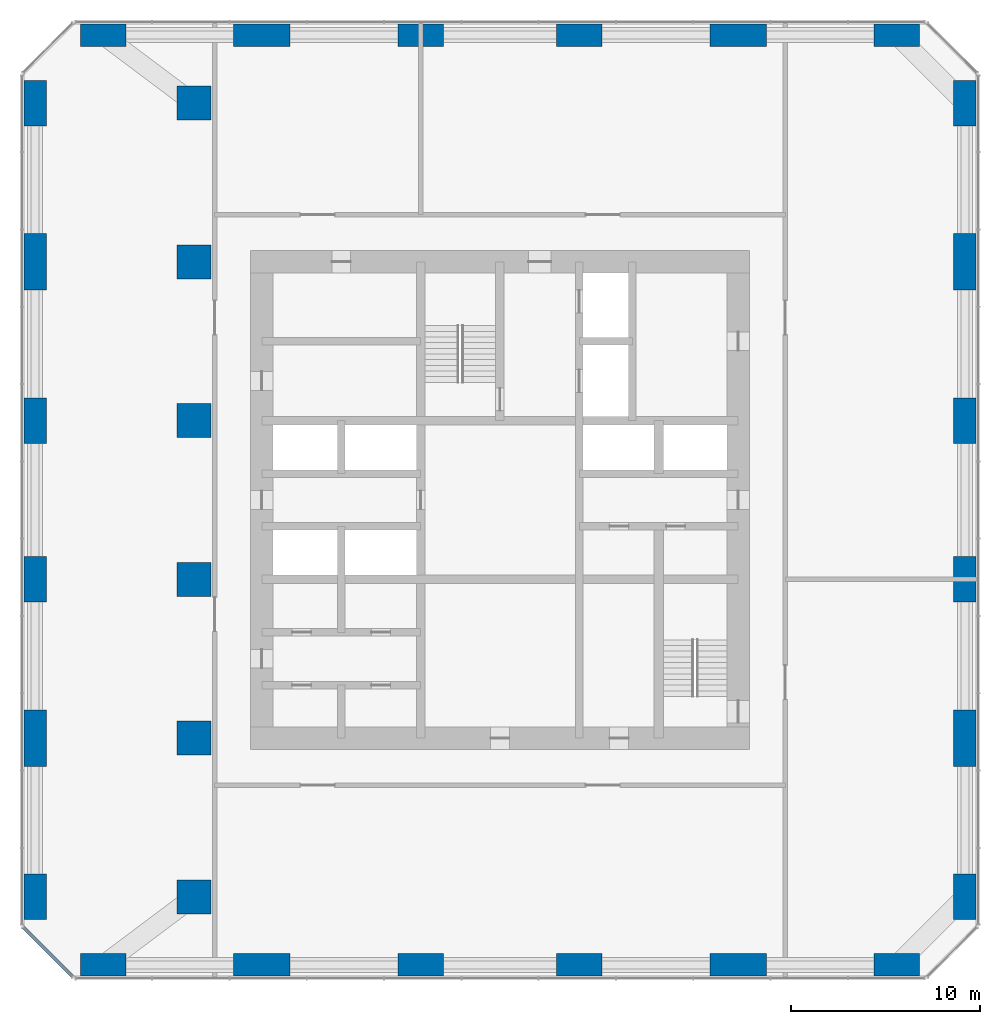
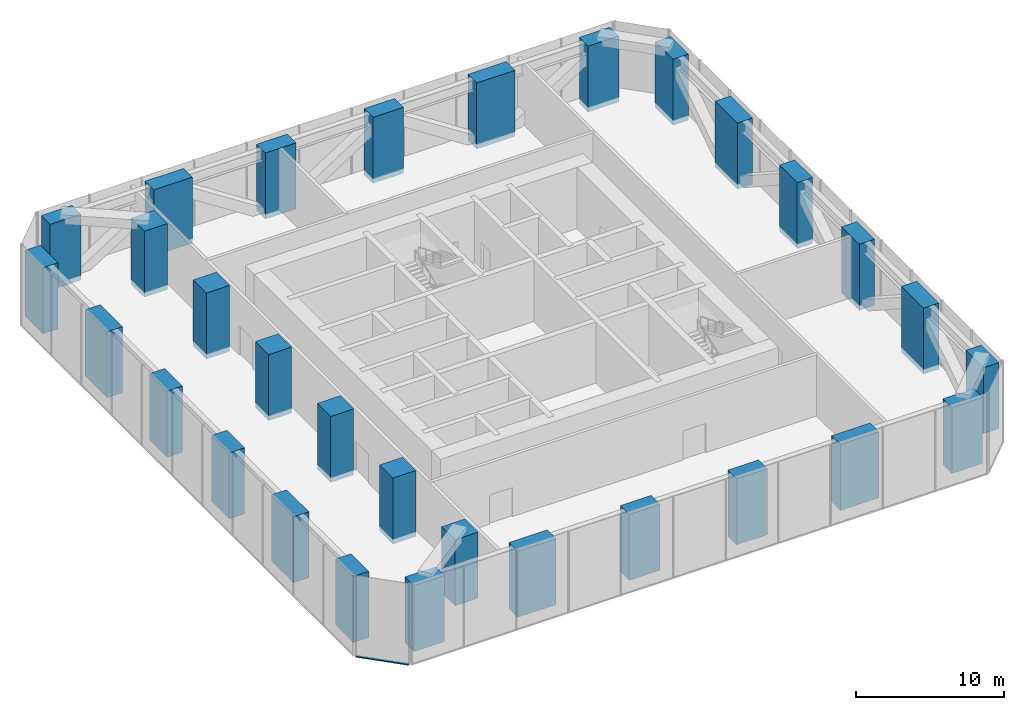
# One storey, part 1 of 10: 30 columns, 1 member, 1 element without a shape of its own.
"""IFC4 building model written with IfcOpenShell, lengths in metres."""

from ifc_helpers import new_model, si_unit, direction, frame, origin, origin_2d, place, context, subcontext, project, spatial, rectangle, extrude, material, material_profile, profile_set, type_object, element, aggregate, save


model = new_model("IFC4")

# Units and contexts
model_context = context("Model", 3, precision=1e-05, world=origin(), true_north=direction((0.0, 1.0)))
body_context = subcontext(model_context, "Body", "Model", "MODEL_VIEW")
ifc_project = project(units=[si_unit("LENGTHUNIT", "METRE"), si_unit("AREAUNIT", "SQUARE_METRE"), si_unit("VOLUMEUNIT", "CUBIC_METRE"), si_unit("PLANEANGLEUNIT", "RADIAN"), si_unit("MASSUNIT", "GRAM", prefix="KILO")], contexts=[model_context])

# Site, building, storey
site_placement = place(None, origin())
site = spatial("IfcSite", under=ifc_project, at=site_placement, CompositionType="ELEMENT")
building_placement = place(site_placement, origin())
building = spatial("IfcBuilding", under=site, at=building_placement, Name="Dunama Terrace Hotel", CompositionType="ELEMENT")
storey_placement = place(building_placement, frame((0.0, 0.0, 220.199951171875)))
storey = spatial("IfcBuildingStorey", under=building, at=storey_placement, Name="L57", CompositionType="ELEMENT", Elevation=220.199951171875)

# Columns
ifc_material_1 = material(Name="Concrete C60/75", Category="concrete")
ifc_material_profile_1 = material_profile(ifc_material_1, rectangle(XDim=1.199951171875, YDim=2.39990234375, at=origin_2d()), Name="RC 1200x2400")
ifc_profile_set_1 = profile_set([ifc_material_profile_1], Name="Concrete C60/75")
column_type_1 = type_object("IfcColumnType", Name="Column RC 1200x2400", PredefinedType="COLUMN", material=ifc_profile_set_1)
for number, where, z_axis, x_axis, name in (
    (1, (4.800048828125, 8.39990234375, -0.39990234375), (0.0, 0.0, 1.0), (1.0, 0.0, 0.0), "Column L57 +4.8/+8.4"),
    (2, (4.800048828125, 25.199951171875, -0.39990234375), (0.0, 0.0, 1.0), (1.0, 0.0, 0.0), "Column L57 +4.8/+25.2"),
    (3, (4.800048828125, 33.60009765625, -0.39990234375), (0.0, 0.0, 1.0), (1.0, 0.0, 0.0), "Column L57 +4.8/+33.6"),
    (4, (4.800048828125, 50.39990234375, -0.39990234375), (0.0, 0.0, 1.0), (1.0, 0.0, 0.0), "Column L57 +4.8/+50.4"),
    (5, (54.0, 8.39990234375, -0.39990234375), (0.0, 0.0, 1.0), (1.0, 0.0, 0.0), "Column L57 +54.0/+8.4"),
    (6, (54.0, 25.199951171875, -0.39990234375), (0.0, 0.0, 1.0), (1.0, 0.0, 0.0), "Column L57 +54.0/+25.2"),
    (7, (54.0, 33.60009765625, -0.39990234375), (0.0, 0.0, 1.0), (1.0, 0.0, 0.0), "Column L57 +54.0/+33.6"),
    (8, (54.0, 50.39990234375, -0.39990234375), (0.0, 0.0, 1.0), (1.0, 0.0, 0.0), "Column L57 +54.0/+50.4"),
):
    element("IfcColumn", number, at=place(storey_placement, frame(where, z_axis=z_axis, x_axis=x_axis)), inside=storey, type_object=column_type_1, Name=name, PredefinedType="COLUMN", context=body_context, shape_type="SweptSolid", body=[
        extrude(rectangle(XDim=1.199951171875, YDim=2.39990234375, at=origin_2d()), origin(), (0.0, 0.0, 1.0), 5.449951171875),
    ])
ifc_material_2 = material(Name="Concrete C60/75", Category="concrete")
ifc_material_profile_2 = material_profile(ifc_material_2, rectangle(XDim=1.199951171875, YDim=3.0, at=origin_2d()), Name="RC 1200x3000")
ifc_profile_set_2 = profile_set([ifc_material_profile_2], Name="Concrete C60/75")
column_type_2 = type_object("IfcColumnType", Name="Column RC 1200x3000", PredefinedType="COLUMN", material=ifc_profile_set_2)
for number, where, z_axis, x_axis, name in (
    (9, (4.800048828125, 16.800048828125, -0.39990234375), (0.0, 0.0, 1.0), (1.0, 0.0, 0.0), "Column L57 +4.8/+16.8"),
    (10, (4.800048828125, 42.0, -0.39990234375), (0.0, 0.0, 1.0), (1.0, 0.0, 0.0), "Column L57 +4.8/+42.0"),
    (11, (54.0, 16.800048828125, -0.39990234375), (0.0, 0.0, 1.0), (1.0, 0.0, 0.0), "Column L57 +54.0/+16.8"),
    (12, (54.0, 42.0, -0.39990234375), (0.0, 0.0, 1.0), (1.0, 0.0, 0.0), "Column L57 +54.0/+42.0"),
):
    element("IfcColumn", number, at=place(storey_placement, frame(where, z_axis=z_axis, x_axis=x_axis)), inside=storey, type_object=column_type_2, Name=name, PredefinedType="COLUMN", context=body_context, shape_type="SweptSolid", body=[
        extrude(rectangle(XDim=1.199951171875, YDim=3.0, at=origin_2d()), origin(), (0.0, 0.0, 1.0), 5.449951171875),
    ])
ifc_material_3 = material(Name="Concrete C60/75", Category="concrete")
ifc_material_profile_3 = material_profile(ifc_material_3, rectangle(XDim=1.800048828125, YDim=1.800048828125, at=origin_2d()), Name="RC 1800x1800")
ifc_profile_set_3 = profile_set([ifc_material_profile_3], Name="Concrete C60/75")
column_type_3 = type_object("IfcColumnType", Name="Column RC 1800x1800", PredefinedType="COLUMN", material=ifc_profile_set_3)
for number, where, z_axis, x_axis, name in (
    (13, (13.199951171875, 8.39990234375, -0.39990234375), (0.0, 0.0, 1.0), (1.0, 0.0, 0.0), "Column L57 +13.2/+8.4"),
    (14, (13.199951171875, 16.800048828125, -0.39990234375), (0.0, 0.0, 1.0), (1.0, 0.0, 0.0), "Column L57 +13.2/+16.8"),
    (15, (13.199951171875, 25.199951171875, -0.39990234375), (0.0, 0.0, 1.0), (1.0, 0.0, 0.0), "Column L57 +13.2/+25.2"),
    (16, (13.199951171875, 33.60009765625, -0.39990234375), (0.0, 0.0, 1.0), (1.0, 0.0, 0.0), "Column L57 +13.2/+33.6"),
    (17, (13.199951171875, 42.0, -0.39990234375), (0.0, 0.0, 1.0), (1.0, 0.0, 0.0), "Column L57 +13.2/+42.0"),
    (18, (13.199951171875, 50.39990234375, -0.39990234375), (0.0, 0.0, 1.0), (1.0, 0.0, 0.0), "Column L57 +13.2/+50.4"),
):
    element("IfcColumn", number, at=place(storey_placement, frame(where, z_axis=z_axis, x_axis=x_axis)), inside=storey, type_object=column_type_3, Name=name, PredefinedType="COLUMN", context=body_context, shape_type="SweptSolid", body=[
        extrude(rectangle(XDim=1.800048828125, YDim=1.800048828125, at=origin_2d()), origin(), (0.0, 0.0, 1.0), 5.449951171875),
    ])
ifc_material_4 = material(Name="Concrete C60/75", Category="concrete")
ifc_material_profile_4 = material_profile(ifc_material_4, rectangle(XDim=2.39990234375, YDim=1.199951171875, at=origin_2d()), Name="RC 2400x1200")
ifc_profile_set_4 = profile_set([ifc_material_profile_4], Name="Concrete C60/75")
column_type_4 = type_object("IfcColumnType", Name="Column RC 2400x1200", PredefinedType="COLUMN", material=ifc_profile_set_4)
for number, where, z_axis, x_axis, name in (
    (19, (8.39990234375, 4.800048828125, -0.39990234375), (0.0, 0.0, 1.0), (1.0, 0.0, 0.0), "Column L57 +8.4/+4.8"),
    (20, (8.39990234375, 54.0, -0.39990234375), (0.0, 0.0, 1.0), (1.0, 0.0, 0.0), "Column L57 +8.4/+54.0"),
    (21, (25.199951171875, 4.800048828125, -0.39990234375), (0.0, 0.0, 1.0), (1.0, 0.0, 0.0), "Column L57 +25.2/+4.8"),
    (22, (25.199951171875, 54.0, -0.39990234375), (0.0, 0.0, 1.0), (1.0, 0.0, 0.0), "Column L57 +25.2/+54.0"),
    (23, (33.60009765625, 4.800048828125, -0.39990234375), (0.0, 0.0, 1.0), (1.0, 0.0, 0.0), "Column L57 +33.6/+4.8"),
    (24, (33.60009765625, 54.0, -0.39990234375), (0.0, 0.0, 1.0), (1.0, 0.0, 0.0), "Column L57 +33.6/+54.0"),
    (25, (50.39990234375, 4.800048828125, -0.39990234375), (0.0, 0.0, 1.0), (1.0, 0.0, 0.0), "Column L57 +50.4/+4.8"),
    (26, (50.39990234375, 54.0, -0.39990234375), (0.0, 0.0, 1.0), (1.0, 0.0, 0.0), "Column L57 +50.4/+54.0"),
):
    element("IfcColumn", number, at=place(storey_placement, frame(where, z_axis=z_axis, x_axis=x_axis)), inside=storey, type_object=column_type_4, Name=name, PredefinedType="COLUMN", context=body_context, shape_type="SweptSolid", body=[
        extrude(rectangle(XDim=2.39990234375, YDim=1.199951171875, at=origin_2d()), origin(), (0.0, 0.0, 1.0), 5.449951171875),
    ])
ifc_material_5 = material(Name="Concrete C60/75", Category="concrete")
ifc_material_profile_5 = material_profile(ifc_material_5, rectangle(XDim=3.0, YDim=1.199951171875, at=origin_2d()), Name="RC 3000x1200")
ifc_profile_set_5 = profile_set([ifc_material_profile_5], Name="Concrete C60/75")
column_type_5 = type_object("IfcColumnType", Name="Column RC 3000x1200", PredefinedType="COLUMN", material=ifc_profile_set_5)
for number, where, z_axis, x_axis, name in (
    (27, (16.800048828125, 4.800048828125, -0.39990234375), (0.0, 0.0, 1.0), (1.0, 0.0, 0.0), "Column L57 +16.8/+4.8"),
    (28, (16.800048828125, 54.0, -0.39990234375), (0.0, 0.0, 1.0), (1.0, 0.0, 0.0), "Column L57 +16.8/+54.0"),
    (29, (42.0, 4.800048828125, -0.39990234375), (0.0, 0.0, 1.0), (1.0, 0.0, 0.0), "Column L57 +42.0/+4.8"),
    (30, (42.0, 54.0, -0.39990234375), (0.0, 0.0, 1.0), (1.0, 0.0, 0.0), "Column L57 +42.0/+54.0"),
):
    element("IfcColumn", number, at=place(storey_placement, frame(where, z_axis=z_axis, x_axis=x_axis)), inside=storey, type_object=column_type_5, Name=name, PredefinedType="COLUMN", context=body_context, shape_type="SweptSolid", body=[
        extrude(rectangle(XDim=3.0, YDim=1.199951171875, at=origin_2d()), origin(), (0.0, 0.0, 1.0), 5.449951171875),
    ])

# Curtain wall, member
ifc_material_6 = material(Name="Aluminium curtain wall system", Category="aluminium")
curtain_wall_type = type_object("IfcCurtainWallType", Name="Plant floor louvred glazing CW-G", PredefinedType="NOTDEFINED", material=ifc_material_6)
curtain_wall_placement = place(storey_placement, origin())
curtain_wall = element("IfcCurtainWall", 31, at=curtain_wall_placement, inside=storey, type_object=curtain_wall_type, Name="Plant floor louvred glazing CW-G L57", PredefinedType="NOTDEFINED")
ifc_material_7 = material(Name="Aluminium transom", Category="aluminium")
ifc_material_profile_6 = material_profile(ifc_material_7, rectangle(XDim=0.159912109375, YDim=0.0849609375, at=origin_2d()), Name="CWG TRANSOM 160X85")
ifc_profile_set_6 = profile_set([ifc_material_profile_6], Name="Aluminium transom")
member_type = type_object("IfcMemberType", Name="CWG transom 160x85", PredefinedType="USERDEFINED", material=ifc_profile_set_6)
member_placement = place(storey_placement, frame((4.181884765625, 6.77587890625, -1.278564453125), z_axis=(0.707106781187, -0.707106781187, 0.0), x_axis=(0.707106781187, 0.707106781187, 0.0)))
member = element("IfcMember", 32, at=member_placement, type_object=member_type, Name="CWG transom", ObjectType="TRANSOM", PredefinedType="USERDEFINED", context=body_context, shape_type="SweptSolid", body=[
    extrude(rectangle(XDim=0.159912109375, YDim=0.0849609375, at=origin_2d()), origin(), (0.0, 0.0, 1.0), 3.66845703125),
])
aggregate(curtain_wall, [member])

save(model, "model.ifc")
